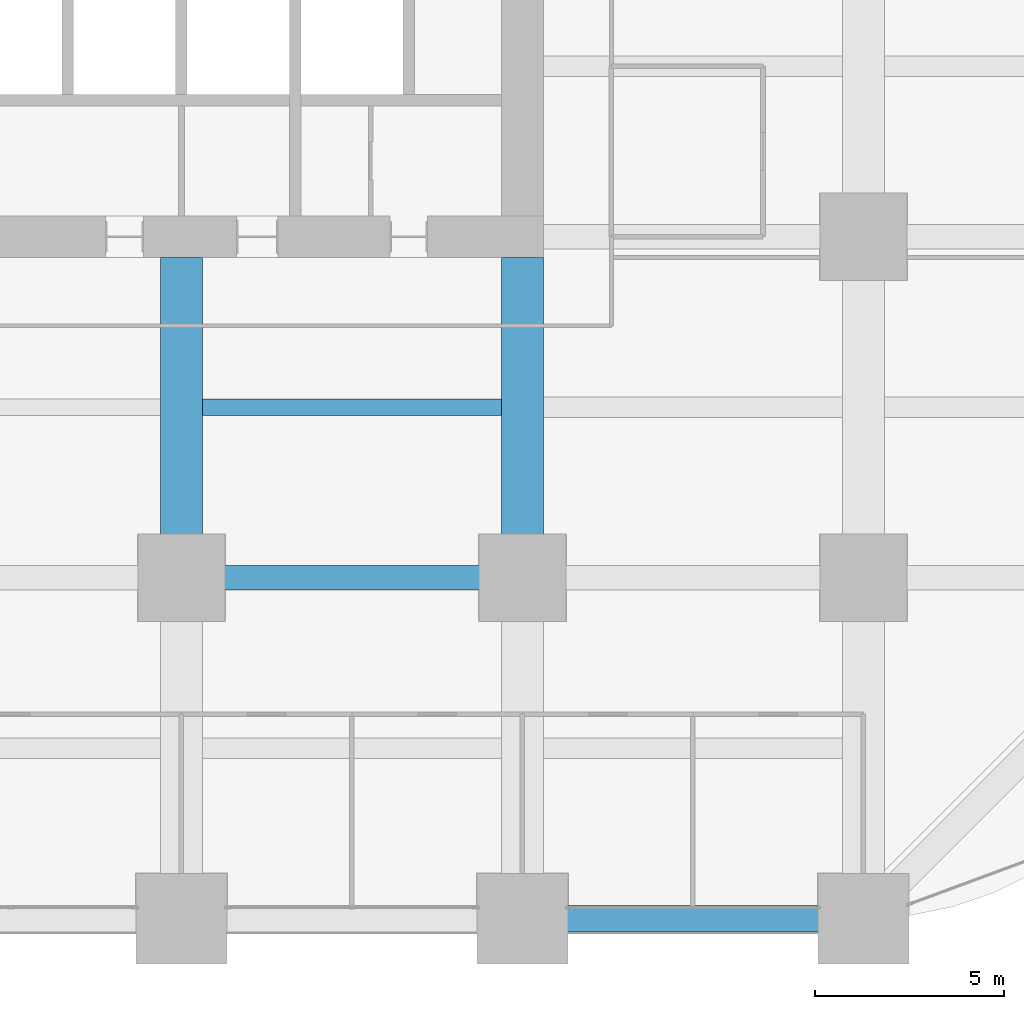
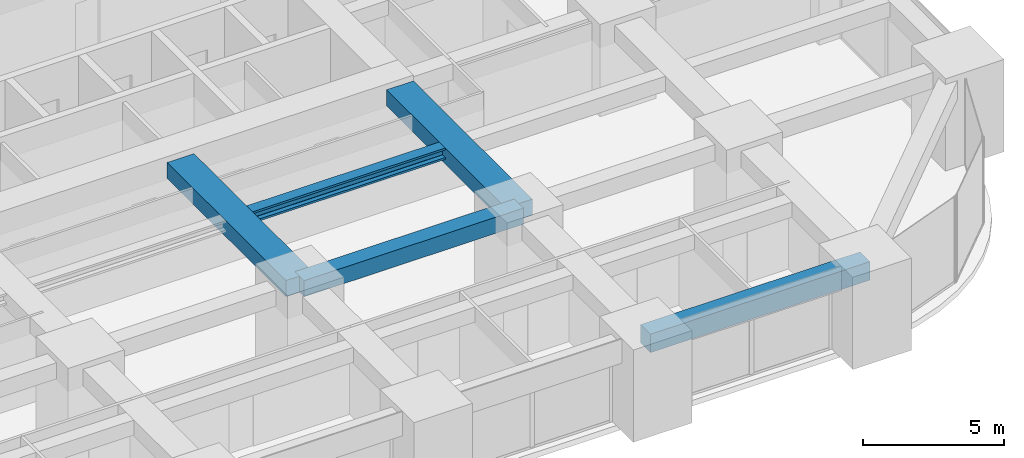
# One storey, part 14 of 45: 5 beams.
"""IFC4 building model written with IfcOpenShell, lengths in metres."""

import ifcopenshell
import ifcopenshell.guid

model = None  # the IFC model being written
_history = None  # IfcOwnerHistory: only IFC2X3 demands one
_inside = {}  # id of a spatial element -> (the spatial element, [elements in it])
_under = {}  # id of a project, library or spatial element -> (it, [spatial elements below it])
_declared = {}  # id of a project -> (the project, [libraries it declares])
_typed = {}  # id of a type object -> (the type object, [elements of that type])
_made_of = {}  # id of a material, layer set ... -> (it, [elements and type objects made of it])


def new_model(schema):
    """Start an empty IFC model of exactly this schema.

    Asked for "IFC4X3", IfcOpenShell would pick the latest addendum, in which some entities
    have other attributes; the version numbers below select the first issue.
    IFC2X3 requires an IfcOwnerHistory on every rooted entity: one is made here for all.
    """
    global model, _history
    if schema == "IFC4X3":
        model = ifcopenshell.file(schema_version=(4, 3, 0, 0))
    else:
        model = ifcopenshell.file(schema=schema)
    _inside.clear()
    _under.clear()
    _declared.clear()
    _typed.clear()
    _made_of.clear()
    _history = None
    if model.schema == "IFC2X3":
        org = make("IfcOrganization", Name="unknown")
        user = make(
            "IfcPersonAndOrganization",
            ThePerson=make("IfcPerson", FamilyName="unknown"),
            TheOrganization=org,
        )
        app = make(
            "IfcApplication",
            ApplicationDeveloper=org,
            Version="unknown",
            ApplicationFullName="unknown",
            ApplicationIdentifier="unknown",
        )
        _history = make(
            "IfcOwnerHistory",
            OwningUser=user,
            OwningApplication=app,
            ChangeAction="ADDED",
            CreationDate=0,
        )
    return model


def make(cls, **values):
    """One entity of the class cls with the attributes given. An attribute that is None is left unset."""
    return model.create_entity(
        cls, **{name: value for name, value in values.items() if value is not None}
    )


def rooted(cls, **values):
    """An entity with a GlobalId (a new one), such as an element, a storey or a relation."""
    return make(cls, GlobalId=ifcopenshell.guid.new(), OwnerHistory=_history, **values)


def si_unit(unit_type, name, prefix=None):
    """IfcSIUnit, for example si_unit("LENGTHUNIT", "METRE", prefix="MILLI")."""
    return make("IfcSIUnit", UnitType=unit_type, Prefix=prefix, Name=name)


def assignment(units):
    """IfcUnitAssignment: the units of a project."""
    return None if units is None else make("IfcUnitAssignment", Units=units)


def point(xyz):
    """IfcCartesianPoint."""
    return None if xyz is None else make("IfcCartesianPoint", Coordinates=xyz)


def direction(xyz):
    """IfcDirection."""
    return None if xyz is None else make("IfcDirection", DirectionRatios=xyz)


def frame(location, z_axis=None, x_axis=None):
    """IfcAxis2Placement3D, a coordinate frame: its origin and axes. An axis left out is left unset."""
    return make(
        "IfcAxis2Placement3D",
        Location=point(location),
        Axis=direction(z_axis),
        RefDirection=direction(x_axis),
    )


def frame_2d(location, x_axis=None):
    """IfcAxis2Placement2D, a coordinate frame in the plane: its origin and x axis."""
    return make(
        "IfcAxis2Placement2D", Location=point(location), RefDirection=direction(x_axis)
    )


def origin():
    """The frame at (0, 0, 0) with its axes left unset."""
    return frame((0.0, 0.0, 0.0))


def origin_2d():
    """The frame at (0, 0) in the plane with its x axis left unset."""
    return frame_2d((0.0, 0.0))


def place(relative_to, where):
    """IfcLocalPlacement: puts the frame where relative to a parent placement (None: the world)."""
    return make(
        "IfcLocalPlacement", PlacementRelTo=relative_to, RelativePlacement=where
    )


def context(
    kind, dimensions, precision=None, world=None, true_north=None, identifier=None
):
    """IfcGeometricRepresentationContext, for example the 3D "Model" context."""
    return make(
        "IfcGeometricRepresentationContext",
        ContextIdentifier=identifier,
        ContextType=kind,
        CoordinateSpaceDimension=dimensions,
        Precision=precision,
        WorldCoordinateSystem=world,
        TrueNorth=true_north,
    )


def subcontext(parent, identifier, kind, view, scale=None):
    """IfcGeometricRepresentationSubContext, for example "Body" below "Model"."""
    return make(
        "IfcGeometricRepresentationSubContext",
        ContextIdentifier=identifier,
        ContextType=kind,
        ParentContext=parent,
        TargetScale=scale,
        TargetView=view,
    )


def project(units=None, contexts=None):
    """IfcProject with its units and contexts."""
    return rooted(
        "IfcProject",
        Name="project",
        RepresentationContexts=contexts,
        UnitsInContext=assignment(units),
    )


def spatial(cls, under=None, at=None, **own):
    """A site, building, storey or space (cls), placed at a placement, below another one or the project."""
    s = rooted(cls, ObjectPlacement=at, **own)
    if under is not None:
        _under.setdefault(under.id(), (under, []))[1].append(s)
    return s


def profile(cls, at=None, kind="AREA", **sizes):
    """A parametric profile (cls). Its sizes go by their IFC names, for example OverallWidth=200.0."""
    return make(cls, ProfileType=kind, Position=at, **sizes)


def rectangle(**sizes):
    """IfcRectangleProfileDef."""
    return profile("IfcRectangleProfileDef", **sizes)


def i_section(**sizes):
    """IfcIShapeProfileDef."""
    return profile("IfcIShapeProfileDef", **sizes)


def extrude(swept, where, along, depth):
    """IfcExtrudedAreaSolid: the profile swept, set in the frame where, extruded along a direction by depth."""
    return make(
        "IfcExtrudedAreaSolid",
        SweptArea=swept,
        Position=where,
        ExtrudedDirection=direction(along),
        Depth=depth,
    )


def shape(context_of_items, identifier, shape_type, items):
    """IfcShapeRepresentation: the items that make up one representation, for example the "Body"."""
    return make(
        "IfcShapeRepresentation",
        ContextOfItems=context_of_items,
        RepresentationIdentifier=identifier,
        RepresentationType=shape_type,
        Items=items,
    )


def material(Name=None, Category=None):
    """IfcMaterial."""
    return make("IfcMaterial", Name=Name, Category=Category)


def material_profile(
    of_material, cross_section, Name=None, Category=None, Priority=None
):
    """IfcMaterialProfile: a cross section and its material."""
    return make(
        "IfcMaterialProfile",
        Name=Name,
        Material=of_material,
        Profile=cross_section,
        Priority=Priority,
        Category=Category,
    )


def profile_set(profiles, Name=None, composite=None):
    """IfcMaterialProfileSet."""
    return make(
        "IfcMaterialProfileSet",
        Name=Name,
        MaterialProfiles=profiles,
        CompositeProfile=composite,
    )


def made_of(thing, what):
    """Note that an element or type object is made of a material, layer set ...; save() writes the relation."""
    if what is not None:
        _made_of.setdefault(what.id(), (what, []))[1].append(thing)
    return thing


def type_object(cls, material=None, **own):
    """A type object (cls), such as IfcWallType, which elements share."""
    return made_of(rooted(cls, **own), material)


def element(
    cls,
    number,
    at=None,
    inside=None,
    cuts=None,
    type_object=None,
    material=None,
    context=None,
    identifier="Body",
    shape_type=None,
    held_by="IfcProductDefinitionShape",
    body=None,
    shapes=None,
    **own,
):
    """One element of the class cls, such as IfcWall. Its Tag is "e" and its number.

    at: its placement. inside: the storey or other place that contains it. cuts: it is an
    opening in that element (IfcRelVoidsElement). A single representation is given by context,
    identifier, shape_type and body (its items); several are given by shapes. held_by: the class
    of the entity that holds the representations. save() writes the other relations.
    """
    e = rooted(cls, Tag="e%d" % number, ObjectPlacement=at, **own)
    if body is not None:
        shapes = [shape(context, identifier, shape_type, body)]
    if shapes is not None:
        e.Representation = make(held_by, Representations=shapes)
    if inside is not None:
        _inside.setdefault(inside.id(), (inside, []))[1].append(e)
    if cuts is not None:
        rooted(
            "IfcRelVoidsElement", RelatingBuildingElement=cuts, RelatedOpeningElement=e
        )
    if type_object is not None:
        _typed.setdefault(type_object.id(), (type_object, []))[1].append(e)
    return made_of(e, material)


def aggregate(whole, parts):
    """IfcRelAggregates: a whole, such as a stair, and the parts it consists of."""
    return rooted("IfcRelAggregates", RelatingObject=whole, RelatedObjects=parts)


def save(model, path):
    """Write the relations noted so far, then the file.

    IfcRelAggregates (storeys below a building ...), IfcRelContainedInSpatialStructure (elements
    in a storey), IfcRelDefinesByType, IfcRelAssociatesMaterial and IfcRelDeclares: one each for
    every whole, place, type object, material and project.
    """
    for whole, parts in _under.values():
        aggregate(whole, parts)
    for where, things in _inside.values():
        rooted(
            "IfcRelContainedInSpatialStructure",
            RelatedElements=things,
            RelatingStructure=where,
        )
    for kind, things in _typed.values():
        rooted("IfcRelDefinesByType", RelatedObjects=things, RelatingType=kind)
    for what, things in _made_of.values():
        rooted("IfcRelAssociatesMaterial", RelatedObjects=things, RelatingMaterial=what)
    for by, libraries in _declared.values():
        rooted("IfcRelDeclares", RelatingContext=by, RelatedDefinitions=libraries)
    model.write(path)


model = new_model("IFC4")

# Units and contexts
model_context = context("Model", 3, precision=1e-05, world=origin(), true_north=direction((0.0, 1.0)))
body_context = subcontext(model_context, "Body", "Model", "MODEL_VIEW")
ifc_project = project(units=[si_unit("LENGTHUNIT", "METRE"), si_unit("AREAUNIT", "SQUARE_METRE"), si_unit("VOLUMEUNIT", "CUBIC_METRE"), si_unit("PLANEANGLEUNIT", "RADIAN"), si_unit("MASSUNIT", "GRAM", prefix="KILO")], contexts=[model_context])

# Site, building, storey
site_placement = place(None, origin())
site = spatial("IfcSite", under=ifc_project, at=site_placement, CompositionType="ELEMENT")
building_placement = place(site_placement, origin())
building = spatial("IfcBuilding", under=site, at=building_placement, Name="Zorevar Civic Tower", CompositionType="ELEMENT")
storey_placement = place(building_placement, frame((0.0, 0.0, 47.800048828125)))
storey = spatial("IfcBuildingStorey", under=building, at=storey_placement, Name="L11", CompositionType="ELEMENT", Elevation=47.800048828125)

# Beams
ifc_material_1 = material(Name="Concrete C50/60", Category="concrete")
ifc_material_profile_1 = material_profile(ifc_material_1, rectangle(XDim=1.10009765625, YDim=0.699951171875, at=origin_2d()), Name="RC 1100x700")
ifc_profile_set_1 = profile_set([ifc_material_profile_1], Name="Concrete C50/60")
beam_type_1 = type_object("IfcBeamType", Name="Beam RC 1100x700", PredefinedType="BEAM", material=ifc_profile_set_1)
for number, where, z_axis, x_axis, name in (
    (1, (36.0, 9.0, 3.39990234375), (0.0, 1.0, 0.0), (-1.0, 0.0, 0.0), "Girder L12"),
    (2, (45.0, 9.0, 3.39990234375), (0.0, 1.0, 0.0), (-1.0, 0.0, 0.0), "Girder L12"),
):
    element("IfcBeam", number, at=place(storey_placement, frame(where, z_axis=z_axis, x_axis=x_axis)), inside=storey, type_object=beam_type_1, Name=name, PredefinedType="BEAM", context=body_context, shape_type="SweptSolid", body=[
        extrude(rectangle(XDim=1.10009765625, YDim=0.699951171875, at=origin_2d()), origin(), (0.0, 0.0, 1.0), 8.449951171875),
    ])
ifc_material_2 = material(Name="Concrete C50/60", Category="concrete")
ifc_material_profile_2 = material_profile(ifc_material_2, rectangle(XDim=0.64990234375, YDim=0.699951171875, at=origin_2d()), Name="RC 650x700")
ifc_profile_set_2 = profile_set([ifc_material_profile_2], Name="Concrete C50/60")
beam_type_2 = type_object("IfcBeamType", Name="Beam RC 650x700", PredefinedType="BEAM", material=ifc_profile_set_2)
beam_1_placement = place(storey_placement, frame((36.0, 9.0, 3.39990234375), z_axis=(1.0, 0.0, 0.0), x_axis=(0.0, 1.0, 0.0)))
element("IfcBeam", 3, at=beam_1_placement, inside=storey, type_object=beam_type_2, Name="Girder L12", PredefinedType="BEAM", context=body_context, shape_type="SweptSolid", body=[
    extrude(rectangle(XDim=0.64990234375, YDim=0.699951171875, at=origin_2d()), origin(), (0.0, 0.0, 1.0), 9.0),
])
ifc_material_3 = material(Name="Steel S460M (HISTAR 460)", Category="steel")
ifc_material_profile_3 = material_profile(ifc_material_3, i_section(OverallWidth=0.431884765625, OverallDepth=0.498046875, WebThickness=0.0556640625, FlangeThickness=0.0888671875, FilletRadius=0.014892578125, at=origin_2d()), Name="HD 400x744")
ifc_profile_set_3 = profile_set([ifc_material_profile_3], Name="Steel S460M (HISTAR 460)")
beam_type_3 = type_object("IfcBeamType", Name="Core bay beam HD 400x744", PredefinedType="BEAM", material=ifc_profile_set_3)
beam_2_placement = place(storey_placement, frame((36.550048828125, 13.5, 3.5009765625), z_axis=(1.0, 0.0, 0.0), x_axis=(0.0, 1.0, 0.0)))
element("IfcBeam", 4, at=beam_2_placement, inside=storey, type_object=beam_type_3, Name="Secondary beam L12", PredefinedType="BEAM", context=body_context, shape_type="SweptSolid", body=[
    extrude(i_section(OverallWidth=0.431884765625, OverallDepth=0.498046875, WebThickness=0.0556640625, FlangeThickness=0.0888671875, FilletRadius=0.014892578125, at=origin_2d()), origin(), (0.0, 0.0, 1.0), 7.89990234375),
])
ifc_material_4 = material(Name="Concrete C50/60", Category="concrete")
ifc_material_profile_4 = material_profile(ifc_material_4, rectangle(XDim=0.699951171875, YDim=0.800048828125, at=origin_2d()), Name="RC 700x800")
ifc_profile_set_4 = profile_set([ifc_material_profile_4], Name="Concrete C50/60")
beam_type_4 = type_object("IfcBeamType", Name="Edge beam RC 700x800", PredefinedType="SPANDREL", material=ifc_profile_set_4)
beam_3_placement = place(storey_placement, frame((45.0, 0.0, 3.349853515625), z_axis=(1.0, 0.0, 0.0), x_axis=(0.0, 1.0, 0.0)))
element("IfcBeam", 5, at=beam_3_placement, inside=storey, type_object=beam_type_4, Name="Edge beam L12", PredefinedType="SPANDREL", context=body_context, shape_type="SweptSolid", body=[
    extrude(rectangle(XDim=0.699951171875, YDim=0.800048828125, at=origin_2d()), origin(), (0.0, 0.0, 1.0), 9.0),
])

save(model, "model.ifc")
